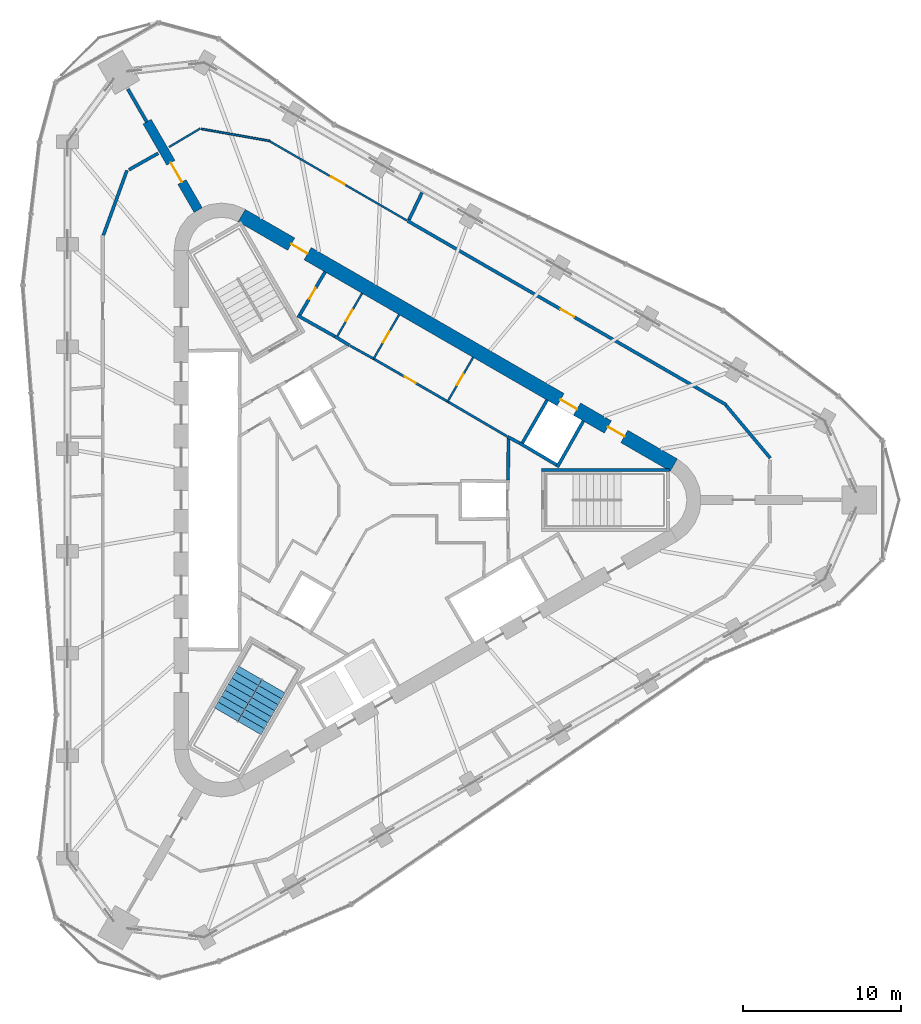
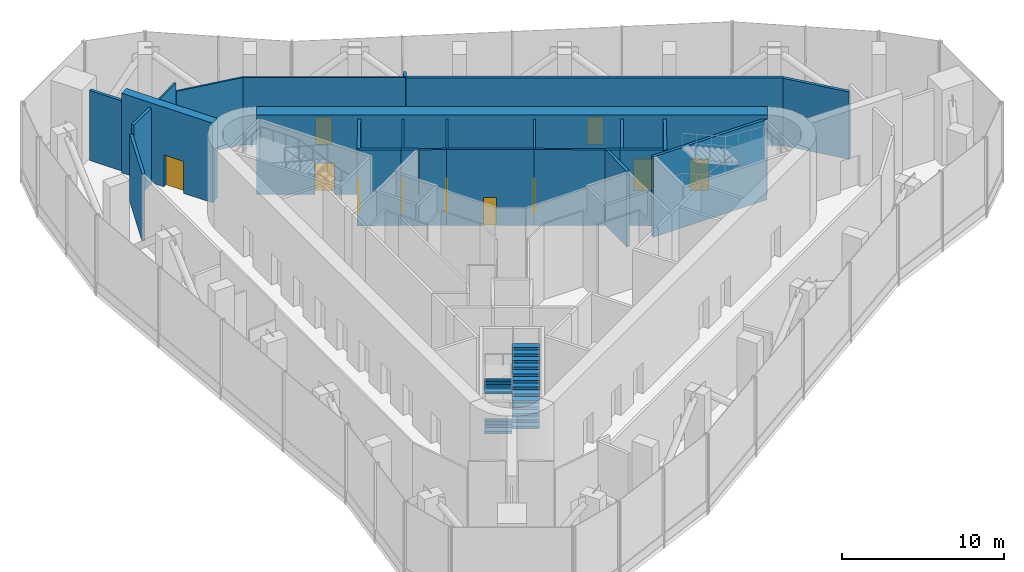
# One storey, part 10 of 15: 26 walls, 11 doors, 4 stair flights, 11 openings, 1 element without a shape of its own.
"""IFC4 building model written with IfcOpenShell, lengths in metres."""

from ifc_helpers import new_model, si_unit, direction, frame, frame_2d, origin, place, context, subcontext, project, spatial, polyline, rectangle, outline, extrude, material, layer, layer_set, type_object, element, fill, aggregate, save


model = new_model("IFC4")

# Units and contexts
model_context = context("Model", 3, precision=1e-05, world=origin(), true_north=direction((0.0, 1.0)))
body_context = subcontext(model_context, "Body", "Model", "MODEL_VIEW")
ifc_project = project(units=[si_unit("LENGTHUNIT", "METRE"), si_unit("AREAUNIT", "SQUARE_METRE"), si_unit("VOLUMEUNIT", "CUBIC_METRE"), si_unit("PLANEANGLEUNIT", "RADIAN"), si_unit("MASSUNIT", "GRAM", prefix="KILO")], contexts=[model_context])

# Site, building, storey
site_placement = place(None, origin())
site = spatial("IfcSite", under=ifc_project, at=site_placement, CompositionType="ELEMENT")
building_placement = place(site_placement, origin())
building = spatial("IfcBuilding", under=site, at=building_placement, Name="Tanit Gate Tower", CompositionType="ELEMENT")
storey_placement = place(building_placement, frame((0.0, 0.0, 392.300048828125)))
storey = spatial("IfcBuildingStorey", under=building, at=storey_placement, Name="L90", CompositionType="ELEMENT", Elevation=392.300048828125)

# Wall, opening, door
ifc_material_1 = material(Name="Concrete C40/50", Category="concrete")
ifc_layer_1 = layer(ifc_material_1, 0.60009765625)
ifc_layer_set_1 = layer_set([ifc_layer_1], Name="BUTTRESS FIN 600 C40/50")
wall_type_1 = type_object("IfcWallType", Name="BUTTRESS FIN 600 C40/50", PredefinedType="SHEAR", material=ifc_layer_set_1)
wall_1_placement = place(storey_placement, frame((-10.574951171875, 18.31640625, 0.0), z_axis=(0.0, 0.0, 1.0), x_axis=(-0.500011655475, 0.866018674388, 0.0)))
wall_1 = element("IfcWall", 1, at=wall_1_placement, inside=storey, type_object=wall_type_1, Name="BUTTRESS FIN", PredefinedType="SHEAR", context=body_context, shape_type="SweptSolid", body=[
    extrude(rectangle(XDim=6.454833984375, YDim=0.60009765625, at=frame_2d((3.2275390625, 0.0))), origin(), (0.0, 0.0, 1.0), 6.0),
])
opening_1_placement = place(wall_1_placement, frame((2.050048828125, 0.0, 0.0)))
opening_1 = element("IfcOpeningElement", 2, at=opening_1_placement, cuts=wall_1, Name="Opening P14-90-F-NW-1", PredefinedType="OPENING", context=body_context, shape_type="SweptSolid", body=[
    extrude(rectangle(XDim=1.39990234375, YDim=2.39990234375, at=frame_2d((0.699951171875, 1.199951171875))), frame((0.0, 0.31005859375, 0.0), z_axis=(0.0, -1.0, 0.0), x_axis=(1.0, 0.0, 0.0)), (0.0, 0.0, 1.0), 0.6201171875),
])
ifc_material_2 = material(Name="Timber door leaf", Category="wood")
door_type_1 = type_object("IfcDoorType", Name="INT-DOOR-FIN-PAIR-1400", OperationType="NOTDEFINED", PredefinedType="NOTDEFINED", material=ifc_material_2)
door_1_placement = place(opening_1_placement, origin())
door_1 = element("IfcDoor", 3, at=door_1_placement, inside=storey, type_object=door_type_1, Name="Door P14-90-F-NW-1", OperationType="DOUBLE_DOOR_SINGLE_SWING", OverallHeight=2.39990234375, OverallWidth=1.39990234375, PredefinedType="NOTDEFINED", context=body_context, shape_type="SweptSolid", body=[
    extrude(rectangle(XDim=1.39990234375, YDim=2.39990234375, at=frame_2d((0.699951171875, 1.199951171875))), frame((0.0, 0.02490234375, 0.0), z_axis=(0.0, -1.0, 0.0), x_axis=(1.0, 0.0, 0.0)), (0.0, 0.0, 1.0), 0.050048828125),
])
fill(opening_1, door_1)

# Wall, openings, doors
ifc_material_3 = material(Name="Concrete C40/50", Category="concrete")
ifc_layer_2 = layer(ifc_material_3, 0.89990234375)
ifc_layer_set_2 = layer_set([ifc_layer_2], Name="CORE WALL 900 C40/50")
wall_type_2 = type_object("IfcWallType", Name="CORE WALL 900 C40/50", PredefinedType="SHEAR", material=ifc_layer_set_2)
wall_2_placement = place(storey_placement, frame((19.47509765625, 2.20849609375, 0.0), z_axis=(0.0, 0.0, 1.0), x_axis=(-0.866028369851, 0.499994862586, 0.0)))
wall_2 = element("IfcWall", 4, at=wall_2_placement, inside=storey, type_object=wall_type_2, Name="CORE WALL", PredefinedType="SHEAR", context=body_context, shape_type="SweptSolid", body=[
    extrude(rectangle(XDim=31.523193359375, YDim=0.89990234375, at=frame_2d((15.76171875, 0.0))), origin(), (0.0, 0.0, 1.0), 6.0),
])
opening_2_placement = place(wall_2_placement, frame((7.0615234375, 0.0, 0.0)))
opening_2 = element("IfcOpeningElement", 5, at=opening_2_placement, cuts=wall_2, Name="Opening LDHL8-90", PredefinedType="OPENING", context=body_context, shape_type="SweptSolid", body=[
    extrude(rectangle(XDim=1.199951171875, YDim=2.39990234375, at=frame_2d((0.60009765625, 1.199951171875))), frame((0.0, 0.4599609375, 0.0), z_axis=(0.0, -1.0, 0.0), x_axis=(1.0, 0.0, 0.0)), (0.0, 0.0, 1.0), 0.919921875),
])
opening_3_placement = place(wall_2_placement, frame((3.611572265625, 0.0, 0.0)))
opening_3 = element("IfcOpeningElement", 6, at=opening_3_placement, cuts=wall_2, Name="Opening F12-90-FL1", PredefinedType="OPENING", context=body_context, shape_type="SweptSolid", body=[
    extrude(rectangle(XDim=1.199951171875, YDim=2.39990234375, at=frame_2d((0.60009765625, 1.199951171875))), frame((0.0, 0.4599609375, 0.0), z_axis=(0.0, -1.0, 0.0), x_axis=(1.0, 0.0, 0.0)), (0.0, 0.0, 1.0), 0.919921875),
])
opening_4_placement = place(wall_2_placement, frame((26.711669921875, 0.0, 0.0)))
opening_4 = element("IfcOpeningElement", 7, at=opening_4_placement, cuts=wall_2, Name="Opening F12-90-S2", PredefinedType="OPENING", context=body_context, shape_type="SweptSolid", body=[
    extrude(rectangle(XDim=1.199951171875, YDim=2.39990234375, at=frame_2d((0.60009765625, 1.199951171875))), frame((0.0, 0.4599609375, 0.0), z_axis=(0.0, -1.0, 0.0), x_axis=(1.0, 0.0, 0.0)), (0.0, 0.0, 1.0), 0.919921875),
])
ifc_material_4 = material(Name="Fire-rated steel door leaf", Category="steel")
door_type_2 = type_object("IfcDoorType", Name="INT-DOOR-FIRE-LOBBY-1200", OperationType="NOTDEFINED", PredefinedType="USERDEFINED", material=ifc_material_4)
door_2_placement = place(opening_3_placement, origin())
door_2 = element("IfcDoor", 8, at=door_2_placement, inside=storey, type_object=door_type_2, Name="Door F12-90-FL1", ObjectType="FIRE DOOR", OperationType="SINGLE_SWING_LEFT", OverallHeight=2.39990234375, OverallWidth=1.199951171875, PredefinedType="USERDEFINED", context=body_context, shape_type="SweptSolid", body=[
    extrude(rectangle(XDim=1.199951171875, YDim=2.39990234375, at=frame_2d((0.60009765625, 1.199951171875))), frame((0.0, 0.02490234375, 0.0), z_axis=(0.0, -1.0, 0.0), x_axis=(1.0, 0.0, 0.0)), (0.0, 0.0, 1.0), 0.050048828125),
])
fill(opening_3, door_2)
door_3_placement = place(opening_4_placement, origin())
door_3 = element("IfcDoor", 9, at=door_3_placement, inside=storey, type_object=door_type_2, Name="Door F12-90-S2", ObjectType="FIRE DOOR", OperationType="SINGLE_SWING_RIGHT", OverallHeight=2.39990234375, OverallWidth=1.199951171875, PredefinedType="USERDEFINED", context=body_context, shape_type="SweptSolid", body=[
    extrude(rectangle(XDim=1.199951171875, YDim=2.39990234375, at=frame_2d((0.60009765625, 1.199951171875))), frame((0.0, 0.02490234375, 0.0), z_axis=(0.0, -1.0, 0.0), x_axis=(1.0, 0.0, 0.0)), (0.0, 0.0, 1.0), 0.050048828125),
])
fill(opening_4, door_3)
ifc_material_5 = material(Name="Stainless steel sliding door leaf", Category="steel")
door_type_3 = type_object("IfcDoorType", Name="INT-DOOR-LANDING-1200", OperationType="NOTDEFINED", PredefinedType="USERDEFINED", material=ifc_material_5)
door_4_placement = place(opening_2_placement, origin())
door_4 = element("IfcDoor", 10, at=door_4_placement, inside=storey, type_object=door_type_3, Name="Door LDHL8-90", ObjectType="LANDING DOOR", OperationType="SLIDING_TO_LEFT", OverallHeight=2.39990234375, OverallWidth=1.199951171875, PredefinedType="USERDEFINED", context=body_context, shape_type="SweptSolid", body=[
    extrude(rectangle(XDim=1.199951171875, YDim=2.39990234375, at=frame_2d((0.60009765625, 1.199951171875))), frame((0.0, 0.02490234375, 0.0), z_axis=(0.0, -1.0, 0.0), x_axis=(1.0, 0.0, 0.0)), (0.0, 0.0, 1.0), 0.050048828125),
])
fill(opening_2, door_4)

# Walls
ifc_material_6 = material(Name="Fire-rated gypsum board partition")
ifc_layer_3 = layer(ifc_material_6, 0.199951171875)
ifc_layer_set_3 = layer_set([ifc_layer_3], Name="INT-WALL-COMPARTMENT")
wall_type_3 = type_object("IfcWallType", Name="INT-WALL-COMPARTMENT", PredefinedType="PARTITIONING", material=ifc_layer_set_3)
wall_3_placement = place(storey_placement, frame((8.97412109375, 3.998779296875, 0.0), z_axis=(0.0, 0.0, 1.0), x_axis=(0.880917147855, -0.473270513147, 0.0)))
element("IfcWall", 11, at=wall_3_placement, inside=storey, type_object=wall_type_3, Name="Wall Compartment W053", PredefinedType="PARTITIONING", context=body_context, shape_type="SweptSolid", body=[
    extrude(rectangle(XDim=0.8779296875, YDim=0.199951171875, at=frame_2d((0.43896484375, 0.0))), origin(), (0.0, 0.0, 1.0), 5.699951171875),
])
wall_4_placement = place(storey_placement, frame((-1.940673828125, 10.338623046875, 0.0), z_axis=(0.0, 0.0, 1.0), x_axis=(0.850216889117, -0.526432561171, 0.0)))
element("IfcWall", 12, at=wall_4_placement, inside=storey, type_object=wall_type_3, Name="Wall Compartment W058", PredefinedType="PARTITIONING", context=body_context, shape_type="SweptSolid", body=[
    extrude(rectangle(XDim=1.078369140625, YDim=0.199951171875, at=frame_2d((0.5390625, 0.0))), origin(), (0.0, 0.0, 1.0), 5.699951171875),
])
wall_5_placement = place(storey_placement, frame((-4.296142578125, 11.658935546875, 0.0), z_axis=(0.0, 0.0, 1.0), x_axis=(0.871534483978, -0.490334215854, 0.0)))
element("IfcWall", 13, at=wall_5_placement, inside=storey, type_object=wall_type_3, Name="Wall Compartment W060", PredefinedType="PARTITIONING", context=body_context, shape_type="SweptSolid", body=[
    extrude(rectangle(XDim=2.7001953125, YDim=0.199951171875, at=frame_2d((1.35009765625, 0.0))), origin(), (0.0, 0.0, 1.0), 5.699951171875),
])

# Wall, opening, door
wall_6_placement = place(storey_placement, frame((-2.557861328125, 14.409423828125, 0.0), z_axis=(0.0, 0.0, 1.0), x_axis=(-0.508018930956, -0.861345903683, 0.0)))
wall_6 = element("IfcWall", 14, at=wall_6_placement, inside=storey, type_object=wall_type_3, Name="Wall Compartment W061", PredefinedType="PARTITIONING", context=body_context, shape_type="SweptSolid", body=[
    extrude(rectangle(XDim=3.150146484375, YDim=0.199951171875, at=frame_2d((1.5751953125, 0.0))), origin(), (0.0, 0.0, 1.0), 5.699951171875),
])
opening_5_placement = place(wall_6_placement, frame((1.175048828125, 0.0, 0.0)))
opening_5 = element("IfcOpeningElement", 15, at=opening_5_placement, cuts=wall_6, Name="Opening R08-90-16", PredefinedType="OPENING", context=body_context, shape_type="SweptSolid", body=[
    extrude(rectangle(XDim=0.800048828125, YDim=2.10009765625, at=frame_2d((0.39990234375, 1.050048828125))), frame((0.0, 0.10986328125, 0.0), z_axis=(0.0, -1.0, 0.0), x_axis=(1.0, 0.0, 0.0)), (0.0, 0.0, 1.0), 0.219970703125),
])
ifc_material_7 = material(Name="Timber door leaf", Category="wood")
door_type_4 = type_object("IfcDoorType", Name="INT-DOOR-RISER-800", OperationType="NOTDEFINED", PredefinedType="USERDEFINED", material=ifc_material_7)
door_5_placement = place(opening_5_placement, origin())
door_5 = element("IfcDoor", 16, at=door_5_placement, inside=storey, type_object=door_type_4, Name="Door R08-90-16", ObjectType="FIRE DOOR", OperationType="SINGLE_SWING_LEFT", OverallHeight=2.10009765625, OverallWidth=0.800048828125, PredefinedType="USERDEFINED", context=body_context, shape_type="SweptSolid", body=[
    extrude(rectangle(XDim=0.800048828125, YDim=2.10009765625, at=frame_2d((0.39990234375, 1.050048828125))), frame((0.0, 0.02490234375, 0.0), z_axis=(0.0, -1.0, 0.0), x_axis=(1.0, 0.0, 0.0)), (0.0, 0.0, 1.0), 0.050048828125),
])
fill(opening_5, door_5)

# Walls
wall_7_placement = place(storey_placement, frame((9.0009765625, 1.27001953125, 0.0), z_axis=(0.0, 0.0, 1.0), x_axis=(0.01074821465, 0.999942236273, 0.0)))
element("IfcWall", 17, at=wall_7_placement, inside=storey, type_object=wall_type_3, Name="Wall Compartment W064", PredefinedType="PARTITIONING", context=body_context, shape_type="SweptSolid", body=[
    extrude(rectangle(XDim=2.725830078125, YDim=0.199951171875, at=frame_2d((1.36279296875, 0.0))), origin(), (0.0, 0.0, 1.0), 5.699951171875),
])
wall_8_placement = place(storey_placement, frame((-15.075927734375, 20.821533203125, 0.0), z_axis=(0.0, 0.0, 1.0), x_axis=(-0.342071567328, -0.939673902386, 0.0)))
element("IfcWall", 18, at=wall_8_placement, inside=storey, type_object=wall_type_3, Name="Wall Compartment W092", PredefinedType="PARTITIONING", context=body_context, shape_type="SweptSolid", body=[
    extrude(rectangle(XDim=4.355712890625, YDim=0.199951171875, at=frame_2d((2.177734375, 0.0))), origin(), (0.0, 0.0, 1.0), 5.070068359375),
])
wall_9_placement = place(storey_placement, frame((-13.106689453125, 21.901611328125, 0.0), z_axis=(0.0, 0.0, 1.0), x_axis=(-0.871581686769, -0.490250306772, 0.0)))
element("IfcWall", 19, at=wall_9_placement, inside=storey, type_object=wall_type_3, Name="Wall Compartment W093", PredefinedType="PARTITIONING", context=body_context, shape_type="SweptSolid", body=[
    extrude(rectangle(XDim=2.120361328125, YDim=0.199951171875, at=frame_2d((1.06005859375, 0.0))), origin(), (0.0, 0.0, 1.0), 5.699951171875),
])
wall_10_placement = place(storey_placement, frame((-15.02392578125, 25.962158203125, 0.0), z_axis=(0.0, 0.0, 1.0), x_axis=(0.500037706602, -0.866003632773, 0.0)))
element("IfcWall", 20, at=wall_10_placement, inside=storey, type_object=wall_type_3, Name="Wall Compartment W100", PredefinedType="PARTITIONING", context=body_context, shape_type="SweptSolid", body=[
    extrude(rectangle(XDim=2.390869140625, YDim=0.199951171875, at=frame_2d((1.1953125, 0.0))), origin(), (0.0, 0.0, 1.0), 5.27001953125),
])

# Wall, opening, door
wall_11_placement = place(storey_placement, frame((22.79248046875, 6.0087890625, 0.0), z_axis=(0.0, 0.0, 1.0), x_axis=(-0.866028288731, 0.499995003092, 0.0)))
wall_11 = element("IfcWall", 21, at=wall_11_placement, inside=storey, type_object=wall_type_3, Name="Wall Compartment W104", PredefinedType="PARTITIONING", context=body_context, shape_type="SweptSolid", body=[
    extrude(rectangle(XDim=23.261962890625, YDim=0.199951171875, at=frame_2d((11.630859375, 0.0))), origin(), (0.0, 0.0, 1.0), 5.070068359375),
])
opening_6_placement = place(wall_11_placement, frame((11.10009765625, 0.0, 0.0)))
opening_6 = element("IfcOpeningElement", 22, at=opening_6_placement, cuts=wall_11, Name="Opening F10-90-23", PredefinedType="OPENING", context=body_context, shape_type="SweptSolid", body=[
    extrude(rectangle(XDim=1.0, YDim=2.10009765625, at=frame_2d((0.5, 1.050048828125))), frame((0.0, 0.10986328125, 0.0), z_axis=(0.0, -1.0, 0.0), x_axis=(1.0, 0.0, 0.0)), (0.0, 0.0, 1.0), 0.219970703125),
])
ifc_material_8 = material(Name="Fire-rated steel door leaf", Category="steel")
door_type_5 = type_object("IfcDoorType", Name="INT-DOOR-FIRE-1000", OperationType="NOTDEFINED", PredefinedType="USERDEFINED", material=ifc_material_8)
door_6_placement = place(opening_6_placement, origin())
door_6 = element("IfcDoor", 23, at=door_6_placement, inside=storey, type_object=door_type_5, Name="Door F10-90-23", ObjectType="FIRE DOOR", OperationType="SINGLE_SWING_LEFT", OverallHeight=2.10009765625, OverallWidth=1.0, PredefinedType="USERDEFINED", context=body_context, shape_type="SweptSolid", body=[
    extrude(rectangle(XDim=1.0, YDim=2.10009765625, at=frame_2d((0.5, 1.050048828125))), frame((0.0, 0.02490234375, 0.0), z_axis=(0.0, -1.0, 0.0), x_axis=(1.0, 0.0, 0.0)), (0.0, 0.0, 1.0), 0.050048828125),
])
fill(opening_6, door_6)

# Walls
wall_12_placement = place(storey_placement, frame((25.570068359375, 2.6455078125, 0.0), z_axis=(0.0, 0.0, 1.0), x_axis=(-0.642788443189, 0.766043743727, 0.0)))
element("IfcWall", 24, at=wall_12_placement, inside=storey, type_object=wall_type_3, Name="Wall Compartment W105", PredefinedType="PARTITIONING", context=body_context, shape_type="SweptSolid", body=[
    extrude(rectangle(XDim=4.355712890625, YDim=0.199951171875, at=frame_2d((2.177734375, 0.0))), origin(), (0.0, 0.0, 1.0), 5.070068359375),
])
wall_13_placement = place(storey_placement, frame((3.565673828125, 19.42333984375, 0.0), z_axis=(0.0, 0.0, 1.0), x_axis=(-0.431188597571, -0.902261820829, 0.0)))
element("IfcWall", 25, at=wall_13_placement, inside=storey, type_object=wall_type_3, Name="Wall Compartment W110", PredefinedType="PARTITIONING", context=body_context, shape_type="SweptSolid", body=[
    extrude(rectangle(XDim=1.909912109375, YDim=0.199951171875, at=frame_2d((0.955078125, 0.0))), origin(), (0.0, 0.0, 1.0), 4.070068359375),
])

# Wall, opening, door
ifc_material_9 = material(Name="Gypsum board partition")
ifc_layer_4 = layer(ifc_material_9, 0.1201171875)
ifc_layer_set_4 = layer_set([ifc_layer_4], Name="INT-WALL-PARTITION")
wall_type_4 = type_object("IfcWallType", Name="INT-WALL-PARTITION", PredefinedType="PARTITIONING", material=ifc_layer_set_4)
wall_14_placement = place(storey_placement, frame((6.795166015625, 9.009521484375, 0.0), z_axis=(0.0, 0.0, 1.0), x_axis=(-0.499984717929, -0.866034226713, 0.0)))
wall_14 = element("IfcWall", 26, at=wall_14_placement, inside=storey, type_object=wall_type_4, Name="Wall Partition W052", PredefinedType="PARTITIONING", context=body_context, shape_type="SweptSolid", body=[
    extrude(rectangle(XDim=3.25, YDim=0.1201171875, at=frame_2d((1.625, 0.0))), origin(), (0.0, 0.0, 1.0), 5.699951171875),
])
opening_7_placement = place(wall_14_placement, frame((1.22509765625, 0.0, 0.0)))
opening_7 = element("IfcOpeningElement", 27, at=opening_7_placement, cuts=wall_14, Name="Opening R08-90-14", PredefinedType="OPENING", context=body_context, shape_type="SweptSolid", body=[
    extrude(rectangle(XDim=0.800048828125, YDim=2.10009765625, at=frame_2d((0.39990234375, 1.050048828125))), frame((0.0, 0.070068359375, 0.0), z_axis=(0.0, -1.0, 0.0), x_axis=(1.0, 0.0, 0.0)), (0.0, 0.0, 1.0), 0.14013671875),
])
door_7_placement = place(opening_7_placement, origin())
door_7 = element("IfcDoor", 28, at=door_7_placement, inside=storey, type_object=door_type_4, Name="Door R08-90-14", ObjectType="FIRE DOOR", OperationType="SINGLE_SWING_RIGHT", OverallHeight=2.10009765625, OverallWidth=0.800048828125, PredefinedType="USERDEFINED", context=body_context, shape_type="SweptSolid", body=[
    extrude(rectangle(XDim=0.800048828125, YDim=2.10009765625, at=frame_2d((0.39990234375, 1.050048828125))), frame((0.0, 0.02490234375, 0.0), z_axis=(0.0, -1.0, 0.0), x_axis=(1.0, 0.0, 0.0)), (0.0, 0.0, 1.0), 0.050048828125),
])
fill(opening_7, door_7)

wall_15_placement = place(storey_placement, frame((2.11865234375, 11.70947265625, 0.0), z_axis=(0.0, 0.0, 1.0), x_axis=(-0.500017246033, -0.866015446554, 0.0)))
wall_15 = element("IfcWall", 29, at=wall_15_placement, inside=storey, type_object=wall_type_4, Name="Wall Partition W055", PredefinedType="PARTITIONING", context=body_context, shape_type="SweptSolid", body=[
    extrude(rectangle(XDim=3.25, YDim=0.1201171875, at=frame_2d((1.625, 0.0))), origin(), (0.0, 0.0, 1.0), 5.699951171875),
])
opening_8_placement = place(wall_15_placement, frame((1.22509765625, 0.0, 0.0)))
opening_8 = element("IfcOpeningElement", 30, at=opening_8_placement, cuts=wall_15, Name="Opening R08-90-15", PredefinedType="OPENING", context=body_context, shape_type="SweptSolid", body=[
    extrude(rectangle(XDim=0.800048828125, YDim=2.10009765625, at=frame_2d((0.39990234375, 1.050048828125))), frame((0.0, 0.070068359375, 0.0), z_axis=(0.0, -1.0, 0.0), x_axis=(1.0, 0.0, 0.0)), (0.0, 0.0, 1.0), 0.14013671875),
])
door_8_placement = place(opening_8_placement, origin())
door_8 = element("IfcDoor", 31, at=door_8_placement, inside=storey, type_object=door_type_4, Name="Door R08-90-15", ObjectType="FIRE DOOR", OperationType="SINGLE_SWING_RIGHT", OverallHeight=2.10009765625, OverallWidth=0.800048828125, PredefinedType="USERDEFINED", context=body_context, shape_type="SweptSolid", body=[
    extrude(rectangle(XDim=0.800048828125, YDim=2.10009765625, at=frame_2d((0.39990234375, 1.050048828125))), frame((0.0, 0.02490234375, 0.0), z_axis=(0.0, -1.0, 0.0), x_axis=(1.0, 0.0, 0.0)), (0.0, 0.0, 1.0), 0.050048828125),
])
fill(opening_8, door_8)

wall_16_placement = place(storey_placement, frame((-0.2197265625, 13.0595703125, 0.0), z_axis=(0.0, 0.0, 1.0), x_axis=(-0.499984717929, -0.866034226713, 0.0)))
wall_16 = element("IfcWall", 32, at=wall_16_placement, inside=storey, type_object=wall_type_4, Name="Wall Partition W057", PredefinedType="PARTITIONING", context=body_context, shape_type="SweptSolid", body=[
    extrude(rectangle(XDim=3.25, YDim=0.1201171875, at=frame_2d((1.625, 0.0))), origin(), (0.0, 0.0, 1.0), 5.699951171875),
])
opening_9_placement = place(wall_16_placement, frame((1.22509765625, 0.0, 0.0)))
opening_9 = element("IfcOpeningElement", 33, at=opening_9_placement, cuts=wall_16, Name="Opening R08-90-28", PredefinedType="OPENING", context=body_context, shape_type="SweptSolid", body=[
    extrude(rectangle(XDim=0.800048828125, YDim=2.10009765625, at=frame_2d((0.39990234375, 1.050048828125))), frame((0.0, 0.070068359375, 0.0), z_axis=(0.0, -1.0, 0.0), x_axis=(1.0, 0.0, 0.0)), (0.0, 0.0, 1.0), 0.14013671875),
])
door_9_placement = place(opening_9_placement, origin())
door_9 = element("IfcDoor", 34, at=door_9_placement, inside=storey, type_object=door_type_4, Name="Door R08-90-28", ObjectType="FIRE DOOR", OperationType="SINGLE_SWING_RIGHT", OverallHeight=2.10009765625, OverallWidth=0.800048828125, PredefinedType="USERDEFINED", context=body_context, shape_type="SweptSolid", body=[
    extrude(rectangle(XDim=0.800048828125, YDim=2.10009765625, at=frame_2d((0.39990234375, 1.050048828125))), frame((0.0, 0.02490234375, 0.0), z_axis=(0.0, -1.0, 0.0), x_axis=(1.0, 0.0, 0.0)), (0.0, 0.0, 1.0), 0.050048828125),
])
fill(opening_9, door_9)

# Walls
wall_17_placement = place(storey_placement, frame((-10.4384765625, 23.471923828125, 0.0), z_axis=(0.0, 0.0, 1.0), x_axis=(-0.860350247392, -0.509703297824, 0.0)))
element("IfcWall", 35, at=wall_17_placement, inside=storey, type_object=wall_type_4, Name="Wall Partition W107", PredefinedType="PARTITIONING", context=body_context, shape_type="SweptSolid", body=[
    extrude(rectangle(XDim=2.296142578125, YDim=0.1201171875, at=frame_2d((1.14794921875, 0.0))), origin(), (0.0, 0.0, 1.0), 5.699951171875),
])
wall_18_placement = place(storey_placement, frame((-6.046875, 22.682861328125, 0.0), z_axis=(0.0, 0.0, 1.0), x_axis=(-0.984807082904, 0.173651977996, 0.0)))
element("IfcWall", 36, at=wall_18_placement, inside=storey, type_object=wall_type_4, Name="Wall Partition W108", PredefinedType="PARTITIONING", context=body_context, shape_type="SweptSolid", body=[
    extrude(rectangle(XDim=4.386474609375, YDim=0.1201171875, at=frame_2d((2.193359375, 0.0))), origin(), (0.0, 0.0, 1.0), 5.070068359375),
])

# Wall, opening, door
wall_19_placement = place(storey_placement, frame((2.6123046875, 17.659912109375, 0.0), z_axis=(0.0, 0.0, 1.0), x_axis=(-0.866027543104, 0.499996294571, 0.0)))
wall_19 = element("IfcWall", 37, at=wall_19_placement, inside=storey, type_object=wall_type_4, Name="Wall Partition W109", PredefinedType="PARTITIONING", context=body_context, shape_type="SweptSolid", body=[
    extrude(rectangle(XDim=10.0068359375, YDim=0.1201171875, at=frame_2d((5.00341796875, 0.0))), origin(), (0.0, 0.0, 1.0), 5.070068359375),
])
opening_10_placement = place(wall_19_placement, frame((4.531982421875, 0.0, 0.0)))
opening_10 = element("IfcOpeningElement", 38, at=opening_10_placement, cuts=wall_19, Name="Opening D10-90-24", PredefinedType="OPENING", context=body_context, shape_type="SweptSolid", body=[
    extrude(rectangle(XDim=1.0, YDim=2.10009765625, at=frame_2d((0.5, 1.050048828125))), frame((0.0, 0.070068359375, 0.0), z_axis=(0.0, -1.0, 0.0), x_axis=(1.0, 0.0, 0.0)), (0.0, 0.0, 1.0), 0.14013671875),
])
ifc_material_10 = material(Name="Timber door leaf", Category="wood")
door_type_6 = type_object("IfcDoorType", Name="INT-DOOR-SINGLE-1000", OperationType="NOTDEFINED", PredefinedType="NOTDEFINED", material=ifc_material_10)
door_10_placement = place(opening_10_placement, origin())
door_10 = element("IfcDoor", 39, at=door_10_placement, inside=storey, type_object=door_type_6, Name="Door D10-90-24", OperationType="SINGLE_SWING_LEFT", OverallHeight=2.10009765625, OverallWidth=1.0, PredefinedType="NOTDEFINED", context=body_context, shape_type="SweptSolid", body=[
    extrude(rectangle(XDim=1.0, YDim=2.10009765625, at=frame_2d((0.5, 1.050048828125))), frame((0.0, 0.02490234375, 0.0), z_axis=(0.0, -1.0, 0.0), x_axis=(1.0, 0.0, 0.0)), (0.0, 0.0, 1.0), 0.050048828125),
])
fill(opening_10, door_10)

# Wall
ifc_material_11 = material(Name="Fire-rated gypsum board partition")
ifc_layer_5 = layer(ifc_material_11, 0.14990234375)
ifc_layer_set_5 = layer_set([ifc_layer_5], Name="INT-WALL-RISER")
wall_type_5 = type_object("IfcWallType", Name="INT-WALL-RISER", PredefinedType="PLUMBINGWALL", material=ifc_layer_set_5)
wall_20_placement = place(storey_placement, frame((8.9306640625, 4.024658203125, 0.0), z_axis=(0.0, 0.0, 1.0), x_axis=(-0.862666884027, 0.505772525157, 0.0)))
element("IfcWall", 40, at=wall_20_placement, inside=storey, type_object=wall_type_5, Name="Wall Riser W054", PredefinedType="PLUMBINGWALL", context=body_context, shape_type="SweptSolid", body=[
    extrude(rectangle(XDim=4.371826171875, YDim=0.14990234375, at=frame_2d((2.18603515625, 0.0))), origin(), (0.0, 0.0, 1.0), 5.699951171875),
])

# Wall, opening, door
wall_21_placement = place(storey_placement, frame((5.1591796875, 6.23583984375, 0.0), z_axis=(0.0, 0.0, 1.0), x_axis=(-0.866028230842, 0.499995103361, 0.0)))
wall_21 = element("IfcWall", 41, at=wall_21_placement, inside=storey, type_object=wall_type_5, Name="Wall Riser W056", PredefinedType="PLUMBINGWALL", context=body_context, shape_type="SweptSolid", body=[
    extrude(rectangle(XDim=5.39990234375, YDim=0.14990234375, at=frame_2d((2.699951171875, 0.0))), origin(), (0.0, 0.0, 1.0), 5.699951171875),
])
opening_11_placement = place(wall_21_placement, frame((2.300048828125, 0.0, 0.0)))
opening_11 = element("IfcOpeningElement", 42, at=opening_11_placement, cuts=wall_21, Name="Opening R08-90-18", PredefinedType="OPENING", context=body_context, shape_type="SweptSolid", body=[
    extrude(rectangle(XDim=0.800048828125, YDim=2.10009765625, at=frame_2d((0.39990234375, 1.050048828125))), frame((0.0, 0.0849609375, 0.0), z_axis=(0.0, -1.0, 0.0), x_axis=(1.0, 0.0, 0.0)), (0.0, 0.0, 1.0), 0.169921875),
])
door_11_placement = place(opening_11_placement, origin())
door_11 = element("IfcDoor", 43, at=door_11_placement, inside=storey, type_object=door_type_4, Name="Door R08-90-18", ObjectType="FIRE DOOR", OperationType="SINGLE_SWING_RIGHT", OverallHeight=2.10009765625, OverallWidth=0.800048828125, PredefinedType="USERDEFINED", context=body_context, shape_type="SweptSolid", body=[
    extrude(rectangle(XDim=0.800048828125, YDim=2.10009765625, at=frame_2d((0.39990234375, 1.050048828125))), frame((0.0, 0.02490234375, 0.0), z_axis=(0.0, -1.0, 0.0), x_axis=(1.0, 0.0, 0.0)), (0.0, 0.0, 1.0), 0.050048828125),
])
fill(opening_11, door_11)

# Walls
wall_22_placement = place(storey_placement, frame((0.482666015625, 8.935791015625, 0.0), z_axis=(0.0, 0.0, 1.0), x_axis=(-0.874315691004, 0.485357674776, 0.0)))
element("IfcWall", 44, at=wall_22_placement, inside=storey, type_object=wall_type_5, Name="Wall Riser W059", PredefinedType="PLUMBINGWALL", context=body_context, shape_type="SweptSolid", body=[
    extrude(rectangle(XDim=1.67138671875, YDim=0.14990234375, at=frame_2d((0.835693359375, 0.0))), origin(), (0.0, 0.0, 1.0), 5.699951171875),
])
ifc_material_12 = material(Name="Gypsum shaft wall system")
ifc_layer_6 = layer(ifc_material_12, 0.199951171875)
ifc_layer_set_6 = layer_set([ifc_layer_6], Name="INT-WALL-SHAFT")
wall_type_6 = type_object("IfcWallType", Name="INT-WALL-SHAFT", PredefinedType="PLUMBINGWALL", material=ifc_layer_set_6)
wall_23_placement = place(storey_placement, frame((9.8466796875, 3.494873046875, 0.0), z_axis=(0.0, 0.0, 1.0), x_axis=(0.499984717929, 0.866034226713, 0.0)))
element("IfcWall", 45, at=wall_23_placement, inside=storey, type_object=wall_type_6, Name="Wall Shaft W012", PredefinedType="PLUMBINGWALL", context=body_context, shape_type="SweptSolid", body=[
    extrude(rectangle(XDim=3.25, YDim=0.199951171875, at=frame_2d((1.625, 0.0))), origin(), (0.0, 0.0, 1.0), 5.699951171875),
])
wall_24_placement = place(storey_placement, frame((12.10986328125, 2.07275390625, 0.0), z_axis=(0.0, 0.0, 1.0), x_axis=(0.49196600604, 0.870614408852, 0.0)))
element("IfcWall", 46, at=wall_24_placement, inside=storey, type_object=wall_type_6, Name="Wall Shaft W013", PredefinedType="PLUMBINGWALL", context=body_context, shape_type="SweptSolid", body=[
    extrude(rectangle(XDim=3.35009765625, YDim=0.199951171875, at=frame_2d((1.675048828125, 0.0))), origin(), (0.0, 0.0, 1.0), 5.699951171875),
])
wall_25_placement = place(storey_placement, frame((12.072998046875, 2.2109375, 0.0), z_axis=(0.0, 0.0, 1.0), x_axis=(-0.860414880418, 0.509594185166, 0.0)))
element("IfcWall", 47, at=wall_25_placement, inside=storey, type_object=wall_type_6, Name="Wall Shaft W014", PredefinedType="PLUMBINGWALL", context=body_context, shape_type="SweptSolid", body=[
    extrude(rectangle(XDim=2.7001953125, YDim=0.199951171875, at=frame_2d((1.35009765625, 0.0))), origin(), (0.0, 0.0, 1.0), 5.699951171875),
])
ifc_material_13 = material(Name="Concrete C40/50", Category="concrete")
ifc_layer_7 = layer(ifc_material_13, 0.199951171875)
ifc_layer_set_7 = layer_set([ifc_layer_7], Name="INT-WALL-STAIR")
wall_type_7 = type_object("IfcWallType", Name="INT-WALL-STAIR", PredefinedType="SHEAR", material=ifc_layer_set_7)
wall_26_placement = place(storey_placement, frame((19.199951171875, 1.89990234375, -0.35009765625), z_axis=(0.0, 0.0, 1.0), x_axis=(-1.0, 0.0, 0.0)))
element("IfcWall", 48, at=wall_26_placement, inside=storey, type_object=wall_type_7, Name="Wall Stair W025", PredefinedType="SHEAR", context=body_context, shape_type="SweptSolid", body=[
    extrude(rectangle(XDim=8.099853515625, YDim=0.199951171875, at=frame_2d((4.0498046875, 0.0))), origin(), (0.0, 0.0, 1.0), 6.050048828125),
])

# Stair, stair flights
ifc_material_14 = material(Name="Concrete C40/50", Category="concrete")
stair_type = type_object("IfcStairType", Name="INT-STAIR-EXIT", PredefinedType="HALF_TURN_STAIR", material=ifc_material_14)
stair_placement = place(storey_placement, origin())
stair = element("IfcStair", 49, at=stair_placement, inside=storey, type_object=stair_type, Name="L90 STAIR S3", PredefinedType="HALF_TURN_STAIR")
ifc_material_15 = material(Name="Concrete C40/50", Category="concrete")
stair_flight_type = type_object("IfcStairFlightType", Name="INT-STAIR-FLIGHT", PredefinedType="STRAIGHT", material=ifc_material_15)
stair_flight_1_placement = place(storey_placement, frame((-7.285888671875, -10.914306640625, 0.0), z_axis=(0.0, 0.0, 1.0), x_axis=(-0.5, -0.866025403784, 0.0)))
stair_flight_1 = element("IfcStairFlight", 50, at=stair_flight_1_placement, type_object=stair_flight_type, Name="S3 flight 1", NumberOfRisers=8, NumberOfTreads=7, PredefinedType="STRAIGHT", RiserHeight=0.1875, TreadLength=0.435857143, context=body_context, shape_type="SweptSolid", body=[
    extrude(outline(polyline([(0.0, 0.0), (0.0, 0.1875), (0.435791015625, 0.1875), (0.435791015625, 0.375), (0.871826171875, 0.375), (0.871826171875, 0.5625), (1.3076171875, 0.5625), (1.3076171875, 0.75), (1.743408203125, 0.75), (1.743408203125, 0.9375), (2.17919921875, 0.9375), (2.17919921875, 1.125), (2.615234375, 1.125), (2.615234375, 1.3125), (3.051025390625, 1.3125), (3.051025390625, 1.5), (3.051025390625, 1.1494140625), (0.37939453125, 0.0), (0.0, 0.0)])), frame((0.0, 0.84765625, 0.0), z_axis=(0.0, -1.0, 0.0), x_axis=(1.0, 0.0, 0.0)), (0.0, 0.0, 1.0), 1.695068359375),
])
stair_flight_2_placement = place(storey_placement, frame((-7.334716796875, -14.4091796875, 1.5), z_axis=(0.0, 0.0, 1.0), x_axis=(0.5, 0.866025403784, 0.0)))
stair_flight_2 = element("IfcStairFlight", 51, at=stair_flight_2_placement, type_object=stair_flight_type, Name="S3 flight 2", NumberOfRisers=8, NumberOfTreads=7, PredefinedType="STRAIGHT", RiserHeight=0.1875, TreadLength=0.435857143, context=body_context, shape_type="SweptSolid", body=[
    extrude(outline(polyline([(0.0, 0.0), (0.0, 0.1875), (0.435791015625, 0.1875), (0.435791015625, 0.375), (0.871826171875, 0.375), (0.871826171875, 0.5625), (1.3076171875, 0.5625), (1.3076171875, 0.75), (1.743408203125, 0.75), (1.743408203125, 0.9375), (2.17919921875, 0.9375), (2.17919921875, 1.125), (2.615234375, 1.125), (2.615234375, 1.3125), (3.051025390625, 1.3125), (3.051025390625, 1.5), (3.051025390625, 1.1494140625), (0.37939453125, 0.0), (0.0, 0.0)])), frame((0.0, 0.84765625, 0.0), z_axis=(0.0, -1.0, 0.0), x_axis=(1.0, 0.0, 0.0)), (0.0, 0.0, 1.0), 1.695068359375),
])
stair_flight_3_placement = place(storey_placement, frame((-7.285888671875, -10.914306640625, 3.0), z_axis=(0.0, 0.0, 1.0), x_axis=(-0.5, -0.866025403784, 0.0)))
stair_flight_3 = element("IfcStairFlight", 52, at=stair_flight_3_placement, type_object=stair_flight_type, Name="S3 flight 3", NumberOfRisers=8, NumberOfTreads=7, PredefinedType="STRAIGHT", RiserHeight=0.1875, TreadLength=0.435857143, context=body_context, shape_type="SweptSolid", body=[
    extrude(outline(polyline([(0.0, 0.0), (0.0, 0.1875), (0.435791015625, 0.1875), (0.435791015625, 0.375), (0.871826171875, 0.375), (0.871826171875, 0.5625), (1.3076171875, 0.5625), (1.3076171875, 0.75), (1.743408203125, 0.75), (1.743408203125, 0.9375), (2.17919921875, 0.9375), (2.17919921875, 1.125), (2.615234375, 1.125), (2.615234375, 1.3125), (3.051025390625, 1.3125), (3.051025390625, 1.5), (3.051025390625, 1.1494140625), (0.37939453125, 0.0), (0.0, 0.0)])), frame((0.0, 0.84765625, 0.0), z_axis=(0.0, -1.0, 0.0), x_axis=(1.0, 0.0, 0.0)), (0.0, 0.0, 1.0), 1.695068359375),
])
stair_flight_4_placement = place(storey_placement, frame((-7.334716796875, -14.4091796875, 4.5), z_axis=(0.0, 0.0, 1.0), x_axis=(0.5, 0.866025403784, 0.0)))
stair_flight_4 = element("IfcStairFlight", 53, at=stair_flight_4_placement, type_object=stair_flight_type, Name="S3 flight 4", NumberOfRisers=8, NumberOfTreads=7, PredefinedType="STRAIGHT", RiserHeight=0.1875, TreadLength=0.435857143, context=body_context, shape_type="SweptSolid", body=[
    extrude(outline(polyline([(0.0, 0.0), (0.0, 0.1875), (0.435791015625, 0.1875), (0.435791015625, 0.375), (0.871826171875, 0.375), (0.871826171875, 0.5625), (1.3076171875, 0.5625), (1.3076171875, 0.75), (1.743408203125, 0.75), (1.743408203125, 0.9375), (2.17919921875, 0.9375), (2.17919921875, 1.125), (2.615234375, 1.125), (2.615234375, 1.3125), (3.051025390625, 1.3125), (3.051025390625, 1.5), (3.051025390625, 1.1494140625), (0.37939453125, 0.0), (0.0, 0.0)])), frame((0.0, 0.84765625, 0.0), z_axis=(0.0, -1.0, 0.0), x_axis=(1.0, 0.0, 0.0)), (0.0, 0.0, 1.0), 1.695068359375),
])
aggregate(stair, [stair_flight_1, stair_flight_2, stair_flight_3, stair_flight_4])

save(model, "model.ifc")
